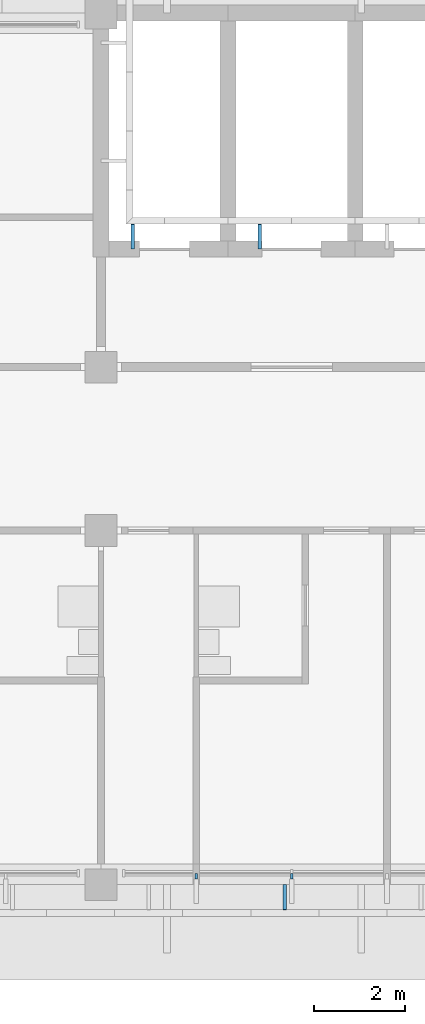
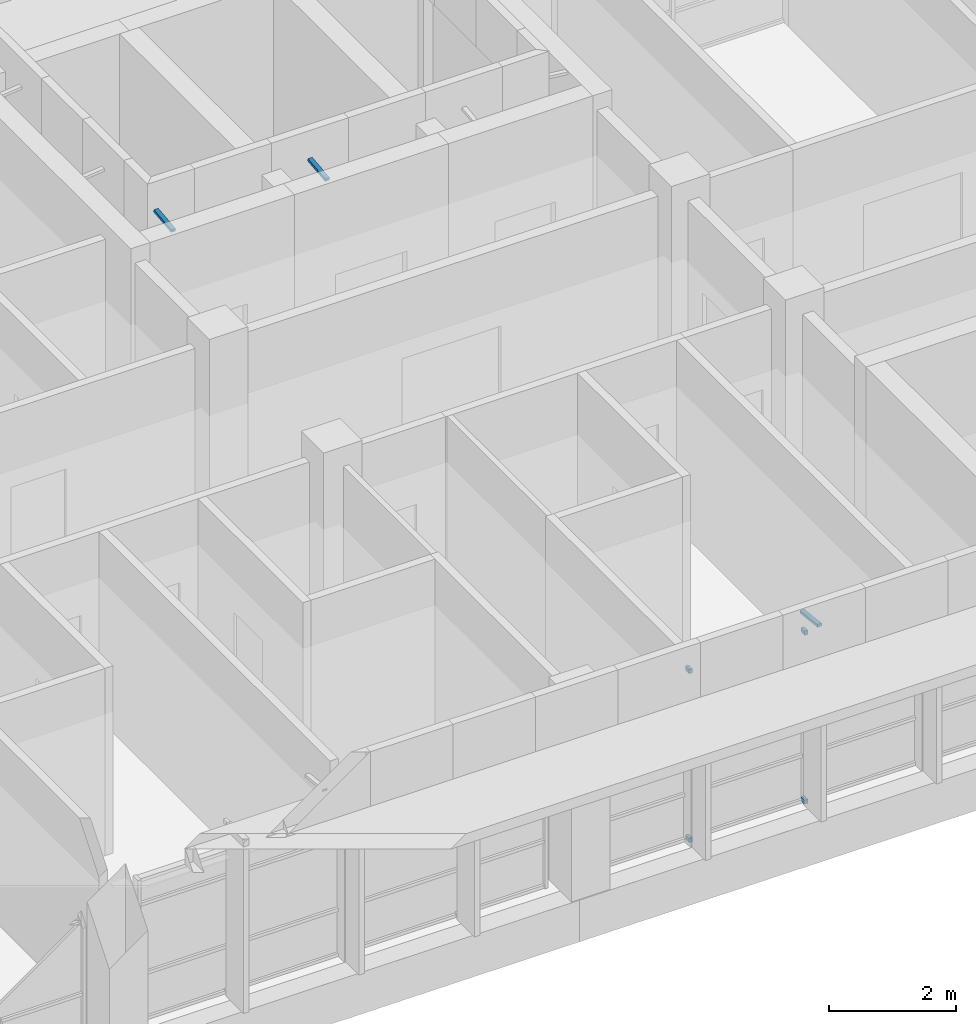
# One storey, part 43 of 71: 7 discrete accessories.
"""IFC4 building model written with IfcOpenShell, lengths in metres."""

from ifc_helpers import new_model, si_unit, direction, frame, origin, origin_2d, place, context, subcontext, project, spatial, rectangle, extrude, material, material_profile, profile_set, type_object, element, save


model = new_model("IFC4")

# Units and contexts
model_context = context("Model", 3, precision=1e-05, world=origin(), true_north=direction((0.0, 1.0)))
body_context = subcontext(model_context, "Body", "Model", "MODEL_VIEW")
ifc_project = project(units=[si_unit("LENGTHUNIT", "METRE"), si_unit("AREAUNIT", "SQUARE_METRE"), si_unit("VOLUMEUNIT", "CUBIC_METRE"), si_unit("PLANEANGLEUNIT", "RADIAN"), si_unit("MASSUNIT", "GRAM", prefix="KILO")], contexts=[model_context])

# Site, building, storey
site_placement = place(None, origin())
site = spatial("IfcSite", under=ifc_project, at=site_placement, CompositionType="ELEMENT")
building_placement = place(site_placement, origin())
building = spatial("IfcBuilding", under=site, at=building_placement, Name="Bougainvillea Quay General Hospital", CompositionType="ELEMENT")
storey_placement = place(building_placement, frame((0.0, 0.0, 24.89990234375)))
storey = spatial("IfcBuildingStorey", under=building, at=storey_placement, Name="L05", CompositionType="ELEMENT", Elevation=24.89990234375)

# Discrete accessories
ifc_material = material(Name="Stainless steel bracket, grade 316", Category="steel")
discrete_accessory_type_1 = type_object("IfcDiscreteAccessoryType", Name="Stainless steel fin arm 60x80", PredefinedType="BRACKET", material=ifc_material)
for number, where, z_axis, x_axis, name in (
    (1, (71.39990234375, 117.7900390625, 0.0), (0.0, 0.0, 1.0), (0.0, -1.0, 0.0), "Fin arm V5B L05 01.35B"),
    (2, (71.39990234375, 117.7900390625, 3.25), (0.0, 0.0, 1.0), (0.0, -1.0, 0.0), "Fin arm V5B L05 01.35T"),
    (3, (69.300048828125, 117.7900390625, 0.0), (0.0, 0.0, 1.0), (0.0, -1.0, 0.0), "Fin arm V5B L05 01.36B"),
    (4, (69.300048828125, 117.7900390625, 3.25), (0.0, 0.0, 1.0), (0.0, -1.0, 0.0), "Fin arm V5B L05 01.36T"),
):
    element("IfcDiscreteAccessory", number, at=place(storey_placement, frame(where, z_axis=z_axis, x_axis=x_axis)), inside=storey, type_object=discrete_accessory_type_1, Name=name, PredefinedType="BRACKET", context=body_context, shape_type="SweptSolid", body=[
        extrude(rectangle(XDim=0.1201171875, YDim=0.06005859375, at=origin_2d()), origin(), (0.0, 0.0, 1.0), 0.080078125),
    ])
ifc_material_profile = material_profile(ifc_material, rectangle(XDim=0.080078125, YDim=0.050048828125, at=origin_2d()))
ifc_profile_set = profile_set([ifc_material_profile], Name="Stainless steel bracket, grade 316")
discrete_accessory_type_2 = type_object("IfcDiscreteAccessoryType", Name="Stainless steel stand-off bracket 80x50", PredefinedType="BRACKET", material=ifc_profile_set)
discrete_accessory_placement = place(storey_placement, frame((71.25, 117.60009765625, 3.840087890625), z_axis=(0.0, -0.994091793559, 0.108542645901), x_axis=(1.0, 0.0, 0.0)))
element("IfcDiscreteAccessory", 5, at=discrete_accessory_placement, inside=storey, type_object=discrete_accessory_type_2, Name="Fascia bracket e0 33", PredefinedType="BRACKET", context=body_context, shape_type="SweptSolid", body=[
    extrude(rectangle(XDim=0.080078125, YDim=0.050048828125, at=origin_2d()), origin(), (0.0, 0.0, 1.0), 0.55322265625),
])
for number, where, z_axis, x_axis, name in (
    (6, (70.699951171875, 131.60009765625, 3.840087890625), (0.0, 0.994086591779, 0.108590276011), (-1.0, 0.0, 0.0), "Fascia bracket e0 189"),
    (7, (67.89990234375, 131.60009765625, 3.840087890625), (0.0, 0.994086591779, 0.108590276011), (-1.0, 0.0, 0.0), "Fascia bracket e0 191"),
):
    element("IfcDiscreteAccessory", number, at=place(storey_placement, frame(where, z_axis=z_axis, x_axis=x_axis)), inside=storey, type_object=discrete_accessory_type_2, Name=name, PredefinedType="BRACKET", context=body_context, shape_type="SweptSolid", body=[
        extrude(rectangle(XDim=0.080078125, YDim=0.050048828125, at=origin_2d()), origin(), (0.0, 0.0, 1.0), 0.552978515625),
    ])

save(model, "model.ifc")
